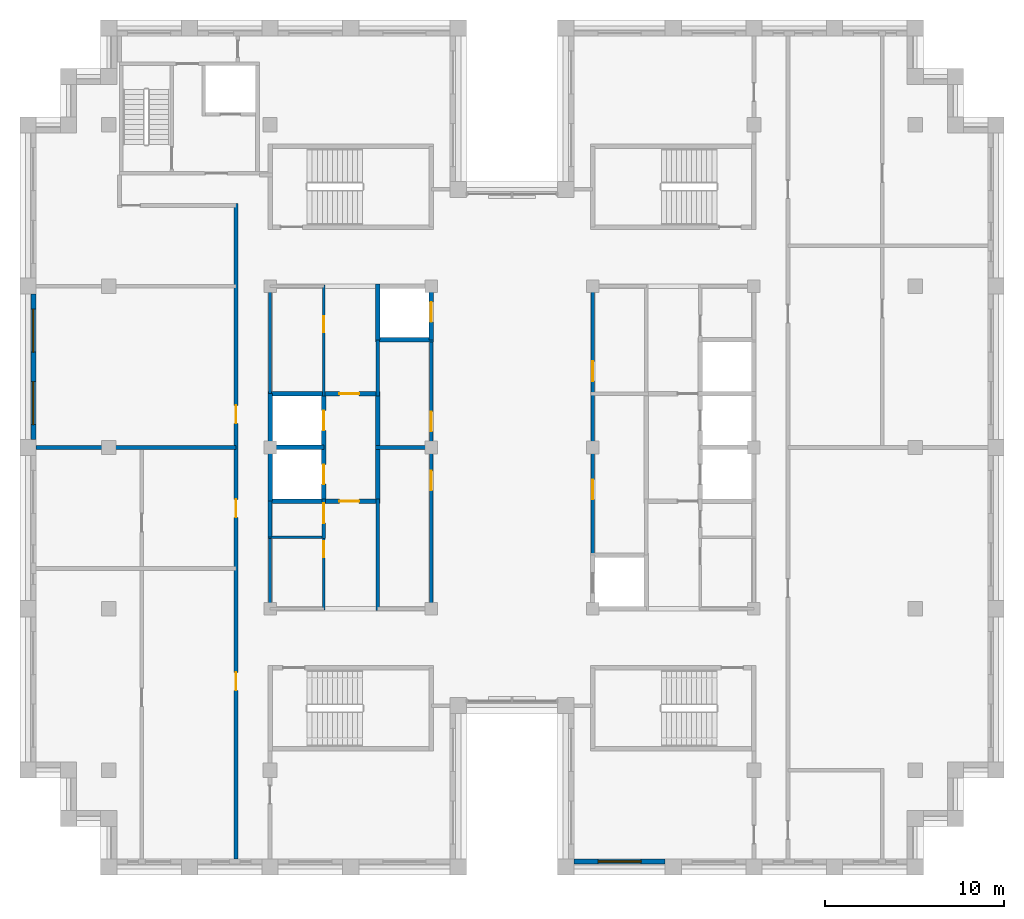
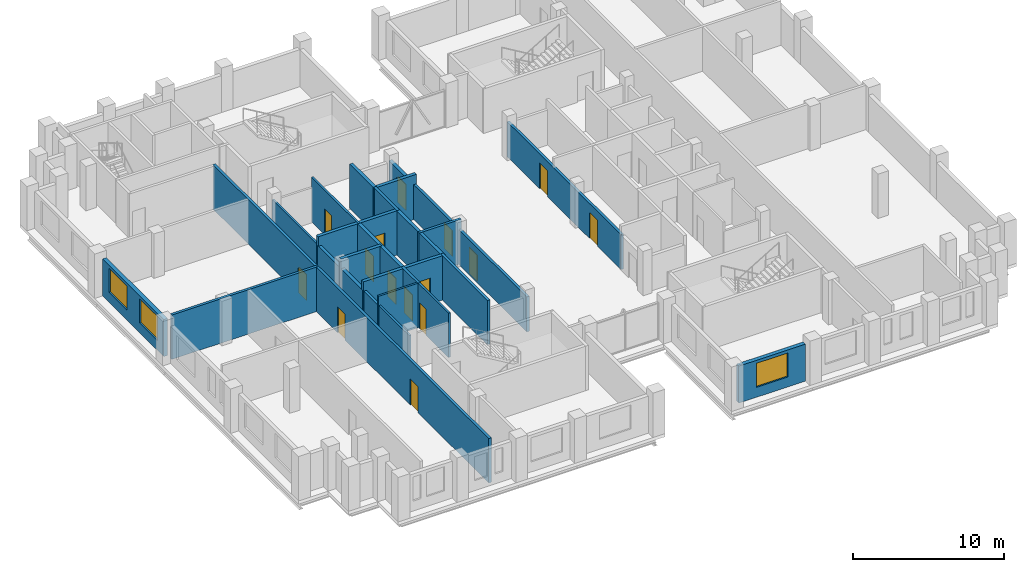
# One storey, part 7 of 13: 25 walls, 15 doors, 3 windows, 18 openings.
"""IFC4 building model written with IfcOpenShell, lengths in metres."""

from ifc_helpers import new_model, si_unit, direction, frame, frame_2d, origin, place, context, subcontext, project, spatial, rectangle, extrude, material, layer, layer_set, type_object, element, fill, save


model = new_model("IFC4")

# Units and contexts
model_context = context("Model", 3, precision=1e-05, world=origin(), true_north=direction((0.0, 1.0)))
body_context = subcontext(model_context, "Body", "Model", "MODEL_VIEW")
ifc_project = project(units=[si_unit("LENGTHUNIT", "METRE"), si_unit("AREAUNIT", "SQUARE_METRE"), si_unit("VOLUMEUNIT", "CUBIC_METRE"), si_unit("PLANEANGLEUNIT", "RADIAN"), si_unit("MASSUNIT", "GRAM", prefix="KILO")], contexts=[model_context])

# Site, building, storey
site_placement = place(None, origin())
site = spatial("IfcSite", under=ifc_project, at=site_placement, CompositionType="ELEMENT")
building_placement = place(site_placement, origin())
building = spatial("IfcBuilding", under=site, at=building_placement, Name="Corbelhall Arena Tower", CompositionType="ELEMENT")
storey_placement = place(building_placement, frame((0.0, 0.0, 316.0)))
storey = spatial("IfcBuildingStorey", under=building, at=storey_placement, Name="L69", CompositionType="ELEMENT", Elevation=316.0)

# Wall, openings, windows
ifc_material_1 = material(Name="Precast concrete C40/50 with granite facing", Category="masonry")
ifc_layer_1 = layer(ifc_material_1, 0.300048828125)
ifc_layer_set_1 = layer_set([ifc_layer_1], Name="EV-IW1 Infill panel 300")
wall_type_1 = type_object("IfcWallType", Name="EV-IW1 Infill panel 300", PredefinedType="SOLIDWALL", material=ifc_layer_set_1)
wall_1_placement = place(storey_placement, frame((-26.699951171875, 8.550048828125, 0.0), z_axis=(0.0, 0.0, 1.0), x_axis=(0.0, -1.0, 0.0)))
wall_1 = element("IfcWall", 1, at=wall_1_placement, inside=storey, type_object=wall_type_1, Name="Infill panel IW1", PredefinedType="SOLIDWALL", context=body_context, shape_type="SweptSolid", body=[
    extrude(rectangle(XDim=8.10009765625, YDim=0.300048828125, at=frame_2d((4.050048828125, 0.0))), origin(), (0.0, 0.0, 1.0), 2.989990234375),
])
opening_1_placement = place(wall_1_placement, frame((0.824951171875, 0.0, 0.800048828125)))
opening_1 = element("IfcOpeningElement", 2, at=opening_1_placement, cuts=wall_1, Name="Opening WN1", PredefinedType="OPENING", context=body_context, shape_type="SweptSolid", body=[
    extrude(rectangle(XDim=2.39990234375, YDim=1.949951171875, at=frame_2d((1.199951171875, 0.97509765625))), frame((0.0, 0.14990234375, 0.0), z_axis=(0.0, -1.0, 0.0), x_axis=(1.0, 0.0, 0.0)), (0.0, 0.0, 1.0), 0.300048828125),
])
opening_2_placement = place(wall_1_placement, frame((4.875, 0.0, 0.800048828125)))
opening_2 = element("IfcOpeningElement", 3, at=opening_2_placement, cuts=wall_1, Name="Opening WN1", PredefinedType="OPENING", context=body_context, shape_type="SweptSolid", body=[
    extrude(rectangle(XDim=2.39990234375, YDim=1.949951171875, at=frame_2d((1.199951171875, 0.97509765625))), frame((0.0, 0.14990234375, 0.0), z_axis=(0.0, -1.0, 0.0), x_axis=(1.0, 0.0, 0.0)), (0.0, 0.0, 1.0), 0.300048828125),
])
ifc_material_2 = material(Name="Aluminium black anodised", Category="aluminium")
window_type = type_object("IfcWindowType", Name="EV-WN1 Office window", PartitioningType="SINGLE_PANEL", PredefinedType="WINDOW", material=ifc_material_2)
window_1_placement = place(opening_1_placement, origin())
window_1 = element("IfcWindow", 4, at=window_1_placement, inside=storey, type_object=window_type, Name="Window WN1", OverallHeight=1.949951171875, OverallWidth=2.39990234375, PartitioningType="SINGLE_PANEL", PredefinedType="WINDOW", context=body_context, shape_type="SweptSolid", body=[
    extrude(rectangle(XDim=2.39990234375, YDim=1.949951171875, at=frame_2d((1.199951171875, 0.97509765625))), frame((0.0, 0.030029296875, 0.0), z_axis=(0.0, -1.0, 0.0), x_axis=(1.0, 0.0, 0.0)), (0.0, 0.0, 1.0), 0.06005859375),
])
fill(opening_1, window_1)
window_2_placement = place(opening_2_placement, origin())
window_2 = element("IfcWindow", 5, at=window_2_placement, inside=storey, type_object=window_type, Name="Window WN1", OverallHeight=1.949951171875, OverallWidth=2.39990234375, PartitioningType="SINGLE_PANEL", PredefinedType="WINDOW", context=body_context, shape_type="SweptSolid", body=[
    extrude(rectangle(XDim=2.39990234375, YDim=1.949951171875, at=frame_2d((1.199951171875, 0.97509765625))), frame((0.0, 0.030029296875, 0.0), z_axis=(0.0, -1.0, 0.0), x_axis=(1.0, 0.0, 0.0)), (0.0, 0.0, 1.0), 0.06005859375),
])
fill(opening_2, window_2)

# Wall, opening, window
wall_2_placement = place(storey_placement, frame((3.449951171875, -23.10009765625, 0.0), z_axis=(0.0, 0.0, 1.0), x_axis=(1.0, 0.0, 0.0)))
wall_2 = element("IfcWall", 6, at=wall_2_placement, inside=storey, type_object=wall_type_1, Name="Infill panel IW1", PredefinedType="SOLIDWALL", context=body_context, shape_type="SweptSolid", body=[
    extrude(rectangle(XDim=5.10009765625, YDim=0.300048828125, at=frame_2d((2.550048828125, 0.0))), origin(), (0.0, 0.0, 1.0), 2.989990234375),
])
opening_3_placement = place(wall_2_placement, frame((1.35009765625, 0.0, 0.800048828125)))
opening_3 = element("IfcOpeningElement", 7, at=opening_3_placement, cuts=wall_2, Name="Opening WN1", PredefinedType="OPENING", context=body_context, shape_type="SweptSolid", body=[
    extrude(rectangle(XDim=2.39990234375, YDim=1.949951171875, at=frame_2d((1.199951171875, 0.97509765625))), frame((0.0, 0.14990234375, 0.0), z_axis=(0.0, -1.0, 0.0), x_axis=(1.0, 0.0, 0.0)), (0.0, 0.0, 1.0), 0.300048828125),
])
window_3_placement = place(opening_3_placement, origin())
window_3 = element("IfcWindow", 8, at=window_3_placement, inside=storey, type_object=window_type, Name="Window WN1", OverallHeight=1.949951171875, OverallWidth=2.39990234375, PartitioningType="SINGLE_PANEL", PredefinedType="WINDOW", context=body_context, shape_type="SweptSolid", body=[
    extrude(rectangle(XDim=2.39990234375, YDim=1.949951171875, at=frame_2d((1.199951171875, 0.97509765625))), frame((0.0, 0.030029296875, 0.0), z_axis=(0.0, -1.0, 0.0), x_axis=(1.0, 0.0, 0.0)), (0.0, 0.0, 1.0), 0.06005859375),
])
fill(opening_3, window_3)

# Wall
ifc_material_3 = material(Name="Gypsum board on steel stud, acoustic", Category="steel")
ifc_layer_2 = layer(ifc_material_3, 0.199951171875)
ifc_layer_set_2 = layer_set([ifc_layer_2], Name="IN-W-DM200")
wall_type_2 = type_object("IfcWallType", Name="IN-W-DM200", PredefinedType="PARTITIONING", material=ifc_layer_set_2)
wall_3_placement = place(storey_placement, frame((-15.39990234375, 0.0, 0.0), z_axis=(0.0, 0.0, 1.0), x_axis=(-1.0, 0.0, 0.0)))
element("IfcWall", 9, at=wall_3_placement, inside=storey, type_object=wall_type_2, Name="Partition 006", PredefinedType="PARTITIONING", context=body_context, shape_type="SweptSolid", body=[
    extrude(rectangle(XDim=11.150146484375, YDim=0.199951171875, at=frame_2d((5.5751953125, 0.0))), origin(), (0.0, 0.0, 1.0), 3.590087890625),
])

# Wall, openings, doors
wall_4_placement = place(storey_placement, frame((-15.39990234375, -22.949951171875, 0.0), z_axis=(0.0, 0.0, 1.0), x_axis=(0.0, 1.0, 0.0)))
wall_4 = element("IfcWall", 10, at=wall_4_placement, inside=storey, type_object=wall_type_2, Name="Partition 007", PredefinedType="PARTITIONING", context=body_context, shape_type="SweptSolid", body=[
    extrude(rectangle(XDim=36.550048828125, YDim=0.199951171875, at=frame_2d((18.27490234375, 0.0))), origin(), (0.0, 0.0, 1.0), 3.590087890625),
])
opening_4_placement = place(wall_4_placement, frame((24.300048828125, 0.0, 0.0)))
opening_4 = element("IfcOpeningElement", 11, at=opening_4_placement, cuts=wall_4, Name="Opening 22021", PredefinedType="OPENING", context=body_context, shape_type="SweptSolid", body=[
    extrude(rectangle(XDim=1.0, YDim=2.10009765625, at=frame_2d((0.5, 1.050048828125))), frame((0.0, 0.10009765625, 0.0), z_axis=(0.0, -1.0, 0.0), x_axis=(1.0, 0.0, 0.0)), (0.0, 0.0, 1.0), 0.199951171875),
])
opening_5_placement = place(wall_4_placement, frame((9.39990234375, 0.0, 0.0)))
opening_5 = element("IfcOpeningElement", 12, at=opening_5_placement, cuts=wall_4, Name="Opening 22023", PredefinedType="OPENING", context=body_context, shape_type="SweptSolid", body=[
    extrude(rectangle(XDim=1.0, YDim=2.10009765625, at=frame_2d((0.5, 1.050048828125))), frame((0.0, 0.10009765625, 0.0), z_axis=(0.0, -1.0, 0.0), x_axis=(1.0, 0.0, 0.0)), (0.0, 0.0, 1.0), 0.199951171875),
])
opening_6_placement = place(wall_4_placement, frame((19.050048828125, 0.0, 0.0)))
opening_6 = element("IfcOpeningElement", 13, at=opening_6_placement, cuts=wall_4, Name="Opening 22025", PredefinedType="OPENING", context=body_context, shape_type="SweptSolid", body=[
    extrude(rectangle(XDim=1.0, YDim=2.10009765625, at=frame_2d((0.5, 1.050048828125))), frame((0.0, 0.10009765625, 0.0), z_axis=(0.0, -1.0, 0.0), x_axis=(1.0, 0.0, 0.0)), (0.0, 0.0, 1.0), 0.199951171875),
])
ifc_material_4 = material(Name="Steel door set", Category="steel")
door_type_1 = type_object("IfcDoorType", Name="IN-D-SW100", OperationType="NOTDEFINED", PredefinedType="DOOR", material=ifc_material_4)
door_1_placement = place(opening_4_placement, origin())
door_1 = element("IfcDoor", 14, at=door_1_placement, inside=storey, type_object=door_type_1, Name="Door 021", OperationType="SINGLE_SWING_RIGHT", OverallHeight=2.10009765625, OverallWidth=1.0, PredefinedType="DOOR", context=body_context, shape_type="SweptSolid", body=[
    extrude(rectangle(XDim=1.0, YDim=2.10009765625, at=frame_2d((0.5, 1.050048828125))), frame((0.0, 0.02490234375, 0.0), z_axis=(0.0, -1.0, 0.0), x_axis=(1.0, 0.0, 0.0)), (0.0, 0.0, 1.0), 0.050048828125),
])
fill(opening_4, door_1)
door_2_placement = place(opening_5_placement, origin())
door_2 = element("IfcDoor", 15, at=door_2_placement, inside=storey, type_object=door_type_1, Name="Door 023", OperationType="SINGLE_SWING_RIGHT", OverallHeight=2.10009765625, OverallWidth=1.0, PredefinedType="DOOR", context=body_context, shape_type="SweptSolid", body=[
    extrude(rectangle(XDim=1.0, YDim=2.10009765625, at=frame_2d((0.5, 1.050048828125))), frame((0.0, 0.02490234375, 0.0), z_axis=(0.0, -1.0, 0.0), x_axis=(1.0, 0.0, 0.0)), (0.0, 0.0, 1.0), 0.050048828125),
])
fill(opening_5, door_2)
door_3_placement = place(opening_6_placement, origin())
door_3 = element("IfcDoor", 16, at=door_3_placement, inside=storey, type_object=door_type_1, Name="Door 025", OperationType="SINGLE_SWING_RIGHT", OverallHeight=2.10009765625, OverallWidth=1.0, PredefinedType="DOOR", context=body_context, shape_type="SweptSolid", body=[
    extrude(rectangle(XDim=1.0, YDim=2.10009765625, at=frame_2d((0.5, 1.050048828125))), frame((0.0, 0.02490234375, 0.0), z_axis=(0.0, -1.0, 0.0), x_axis=(1.0, 0.0, 0.0)), (0.0, 0.0, 1.0), 0.050048828125),
])
fill(opening_6, door_3)

# Wall, opening, door
ifc_material_5 = material(Name="Concrete block wall", Category="concrete")
ifc_layer_3 = layer(ifc_material_5, 0.199951171875)
ifc_layer_set_3 = layer_set([ifc_layer_3], Name="IN-W-RS200")
wall_type_3 = type_object("IfcWallType", Name="IN-W-RS200", PredefinedType="SOLIDWALL", material=ifc_layer_set_3)
wall_5_placement = place(storey_placement, frame((-10.5, -5.074951171875, 0.0), z_axis=(0.0, 0.0, 1.0), x_axis=(0.0, 1.0, 0.0)))
wall_5 = element("IfcWall", 17, at=wall_5_placement, inside=storey, type_object=wall_type_3, Name="Partition 025", PredefinedType="SOLIDWALL", context=body_context, shape_type="SweptSolid", body=[
    extrude(rectangle(XDim=2.199951171875, YDim=0.199951171875, at=frame_2d((1.10009765625, 0.0))), origin(), (0.0, 0.0, 1.0), 3.590087890625),
])
opening_7_placement = place(wall_5_placement, frame((0.85009765625, 0.0, 0.0)))
opening_7 = element("IfcOpeningElement", 18, at=opening_7_placement, cuts=wall_5, Name="Opening 22006", PredefinedType="OPENING", context=body_context, shape_type="SweptSolid", body=[
    extrude(rectangle(XDim=1.10009765625, YDim=2.10009765625, at=frame_2d((0.550048828125, 1.050048828125))), frame((0.0, 0.10009765625, 0.0), z_axis=(0.0, -1.0, 0.0), x_axis=(1.0, 0.0, 0.0)), (0.0, 0.0, 1.0), 0.199951171875),
])
door_type_2 = type_object("IfcDoorType", Name="IN-D-FD110", OperationType="NOTDEFINED", PredefinedType="DOOR", material=ifc_material_4)
door_4_placement = place(opening_7_placement, origin())
door_4 = element("IfcDoor", 19, at=door_4_placement, inside=storey, type_object=door_type_2, Name="Door 006", OperationType="SINGLE_SWING_LEFT", OverallHeight=2.10009765625, OverallWidth=1.10009765625, PredefinedType="DOOR", context=body_context, shape_type="SweptSolid", body=[
    extrude(rectangle(XDim=1.10009765625, YDim=2.10009765625, at=frame_2d((0.550048828125, 1.050048828125))), frame((0.0, 0.02490234375, 0.0), z_axis=(0.0, -1.0, 0.0), x_axis=(1.0, 0.0, 0.0)), (0.0, 0.0, 1.0), 0.050048828125),
])
fill(opening_7, door_4)

# Walls
wall_6_placement = place(storey_placement, frame((-7.625, 0.0, 0.0), z_axis=(0.0, 0.0, 1.0), x_axis=(1.0, 0.0, 0.0)))
element("IfcWall", 20, at=wall_6_placement, inside=storey, type_object=wall_type_3, Name="Partition 026", PredefinedType="SOLIDWALL", context=body_context, shape_type="SweptSolid", body=[
    extrude(rectangle(XDim=3.22509765625, YDim=0.199951171875, at=frame_2d((1.612548828125, 0.0))), origin(), (0.0, 0.0, 1.0), 3.590087890625),
])
wall_7_placement = place(storey_placement, frame((-7.5, -9.10009765625, 0.0), z_axis=(0.0, 0.0, 1.0), x_axis=(0.0, 1.0, 0.0)))
element("IfcWall", 21, at=wall_7_placement, inside=storey, type_object=wall_type_3, Name="Partition 027", PredefinedType="SOLIDWALL", context=body_context, shape_type="SweptSolid", body=[
    extrude(rectangle(XDim=6.22509765625, YDim=0.199951171875, at=frame_2d((3.112548828125, 0.0))), origin(), (0.0, 0.0, 1.0), 3.590087890625),
])
wall_8_placement = place(storey_placement, frame((-7.5, 2.875, 0.0), z_axis=(0.0, 0.0, 1.0), x_axis=(0.0, 1.0, 0.0)))
element("IfcWall", 22, at=wall_8_placement, inside=storey, type_object=wall_type_3, Name="Partition 028", PredefinedType="SOLIDWALL", context=body_context, shape_type="SweptSolid", body=[
    extrude(rectangle(XDim=3.125, YDim=0.199951171875, at=frame_2d((1.5625, 0.0))), origin(), (0.0, 0.0, 1.0), 3.590087890625),
])
ifc_layer_4 = layer(ifc_material_5, 0.199951171875)
ifc_layer_set_4 = layer_set([ifc_layer_4], Name="IN-W-RS200 under beam 762 mm")
wall_type_4 = type_object("IfcWallType", Name="IN-W-RS200 under beam 762 mm", PredefinedType="SOLIDWALL", material=ifc_layer_set_4)
wall_9_placement = place(storey_placement, frame((-13.5, -5.0, 0.0), z_axis=(0.0, 0.0, 1.0), x_axis=(0.0, 1.0, 0.0)))
element("IfcWall", 23, at=wall_9_placement, inside=storey, type_object=wall_type_4, Name="Partition 024", PredefinedType="SOLIDWALL", context=body_context, shape_type="SweptSolid", body=[
    extrude(rectangle(XDim=2.0, YDim=0.199951171875, at=frame_2d((1.0, 0.0))), origin(), (0.0, 0.0, 1.0), 2.827880859375),
])

# Wall, openings, doors
wall_10_placement = place(storey_placement, frame((-4.5, 6.0, 0.0), z_axis=(0.0, 0.0, 1.0), x_axis=(0.0, -1.0, 0.0)))
wall_10 = element("IfcWall", 24, at=wall_10_placement, inside=storey, type_object=wall_type_4, Name="Partition 030", PredefinedType="SOLIDWALL", context=body_context, shape_type="SweptSolid", body=[
    extrude(rectangle(XDim=15.10009765625, YDim=0.199951171875, at=frame_2d((7.550048828125, 0.0))), origin(), (0.0, 0.0, 1.0), 2.827880859375),
])
opening_8_placement = place(wall_10_placement, frame((7.300048828125, 0.0, 0.0)))
opening_8 = element("IfcOpeningElement", 25, at=opening_8_placement, cuts=wall_10, Name="Opening 22001", PredefinedType="OPENING", context=body_context, shape_type="SweptSolid", body=[
    extrude(rectangle(XDim=1.10009765625, YDim=2.10009765625, at=frame_2d((0.550048828125, 1.050048828125))), frame((0.0, 0.10009765625, 0.0), z_axis=(0.0, -1.0, 0.0), x_axis=(1.0, 0.0, 0.0)), (0.0, 0.0, 1.0), 0.199951171875),
])
opening_9_placement = place(wall_10_placement, frame((4.0, 0.0, 0.0)))
opening_9 = element("IfcOpeningElement", 26, at=opening_9_placement, cuts=wall_10, Name="Opening 22002", PredefinedType="OPENING", context=body_context, shape_type="SweptSolid", body=[
    extrude(rectangle(XDim=1.10009765625, YDim=2.10009765625, at=frame_2d((0.550048828125, 1.050048828125))), frame((0.0, 0.10009765625, 0.0), z_axis=(0.0, -1.0, 0.0), x_axis=(1.0, 0.0, 0.0)), (0.0, 0.0, 1.0), 0.199951171875),
])
door_5_placement = place(opening_8_placement, origin())
door_5 = element("IfcDoor", 27, at=door_5_placement, inside=storey, type_object=door_type_2, Name="Door 001", OperationType="SINGLE_SWING_RIGHT", OverallHeight=2.10009765625, OverallWidth=1.10009765625, PredefinedType="DOOR", context=body_context, shape_type="SweptSolid", body=[
    extrude(rectangle(XDim=1.10009765625, YDim=2.10009765625, at=frame_2d((0.550048828125, 1.050048828125))), frame((0.0, 0.02490234375, 0.0), z_axis=(0.0, -1.0, 0.0), x_axis=(1.0, 0.0, 0.0)), (0.0, 0.0, 1.0), 0.050048828125),
])
fill(opening_8, door_5)
door_6_placement = place(opening_9_placement, origin())
door_6 = element("IfcDoor", 28, at=door_6_placement, inside=storey, type_object=door_type_2, Name="Door 002", OperationType="SINGLE_SWING_LEFT", OverallHeight=2.10009765625, OverallWidth=1.10009765625, PredefinedType="DOOR", context=body_context, shape_type="SweptSolid", body=[
    extrude(rectangle(XDim=1.10009765625, YDim=2.10009765625, at=frame_2d((0.550048828125, 1.050048828125))), frame((0.0, 0.02490234375, 0.0), z_axis=(0.0, -1.0, 0.0), x_axis=(1.0, 0.0, 0.0)), (0.0, 0.0, 1.0), 0.050048828125),
])
fill(opening_9, door_6)

wall_11_placement = place(storey_placement, frame((4.5, -6.0, 0.0), z_axis=(0.0, 0.0, 1.0), x_axis=(0.0, 1.0, 0.0)))
wall_11 = element("IfcWall", 29, at=wall_11_placement, inside=storey, type_object=wall_type_4, Name="Partition 032", PredefinedType="SOLIDWALL", context=body_context, shape_type="SweptSolid", body=[
    extrude(rectangle(XDim=15.10009765625, YDim=0.199951171875, at=frame_2d((7.550048828125, 0.0))), origin(), (0.0, 0.0, 1.0), 2.827880859375),
])
opening_10_placement = place(wall_11_placement, frame((3.10009765625, 0.0, 0.0)))
opening_10 = element("IfcOpeningElement", 30, at=opening_10_placement, cuts=wall_11, Name="Opening 22008", PredefinedType="OPENING", context=body_context, shape_type="SweptSolid", body=[
    extrude(rectangle(XDim=1.10009765625, YDim=2.10009765625, at=frame_2d((0.550048828125, 1.050048828125))), frame((0.0, 0.10009765625, 0.0), z_axis=(0.0, -1.0, 0.0), x_axis=(1.0, 0.0, 0.0)), (0.0, 0.0, 1.0), 0.199951171875),
])
opening_11_placement = place(wall_11_placement, frame((9.699951171875, 0.0, 0.0)))
opening_11 = element("IfcOpeningElement", 31, at=opening_11_placement, cuts=wall_11, Name="Opening 22009", PredefinedType="OPENING", context=body_context, shape_type="SweptSolid", body=[
    extrude(rectangle(XDim=1.10009765625, YDim=2.10009765625, at=frame_2d((0.550048828125, 1.050048828125))), frame((0.0, 0.10009765625, 0.0), z_axis=(0.0, -1.0, 0.0), x_axis=(1.0, 0.0, 0.0)), (0.0, 0.0, 1.0), 0.199951171875),
])
door_7_placement = place(opening_10_placement, origin())
door_7 = element("IfcDoor", 32, at=door_7_placement, inside=storey, type_object=door_type_2, Name="Door 008", OperationType="SINGLE_SWING_LEFT", OverallHeight=2.10009765625, OverallWidth=1.10009765625, PredefinedType="DOOR", context=body_context, shape_type="SweptSolid", body=[
    extrude(rectangle(XDim=1.10009765625, YDim=2.10009765625, at=frame_2d((0.550048828125, 1.050048828125))), frame((0.0, 0.02490234375, 0.0), z_axis=(0.0, -1.0, 0.0), x_axis=(1.0, 0.0, 0.0)), (0.0, 0.0, 1.0), 0.050048828125),
])
fill(opening_10, door_7)
door_8_placement = place(opening_11_placement, origin())
door_8 = element("IfcDoor", 33, at=door_8_placement, inside=storey, type_object=door_type_2, Name="Door 009", OperationType="SINGLE_SWING_RIGHT", OverallHeight=2.10009765625, OverallWidth=1.10009765625, PredefinedType="DOOR", context=body_context, shape_type="SweptSolid", body=[
    extrude(rectangle(XDim=1.10009765625, YDim=2.10009765625, at=frame_2d((0.550048828125, 1.050048828125))), frame((0.0, 0.02490234375, 0.0), z_axis=(0.0, -1.0, 0.0), x_axis=(1.0, 0.0, 0.0)), (0.0, 0.0, 1.0), 0.050048828125),
])
fill(opening_11, door_8)

# Wall
ifc_material_6 = material(Name="Concrete C40/50", Category="concrete")
ifc_layer_5 = layer(ifc_material_6, 0.25)
ifc_layer_set_5 = layer_set([ifc_layer_5], Name="IN-W-SH250")
wall_type_5 = type_object("IfcWallType", Name="IN-W-SH250", PredefinedType="SOLIDWALL", material=ifc_layer_set_5)
wall_12_placement = place(storey_placement, frame((-13.625, 0.0, 0.0), z_axis=(0.0, 0.0, 1.0), x_axis=(1.0, 0.0, 0.0)))
element("IfcWall", 34, at=wall_12_placement, inside=storey, type_object=wall_type_5, Name="Shaft wall 041", PredefinedType="SOLIDWALL", context=body_context, shape_type="SweptSolid", body=[
    extrude(rectangle(XDim=3.125, YDim=0.25, at=frame_2d((1.5625, 0.0))), origin(), (0.0, 0.0, 1.0), 3.590087890625),
])

# Wall, opening, door
wall_13_placement = place(storey_placement, frame((-13.625, 3.0, 0.0), z_axis=(0.0, 0.0, 1.0), x_axis=(1.0, 0.0, 0.0)))
wall_13 = element("IfcWall", 35, at=wall_13_placement, inside=storey, type_object=wall_type_5, Name="Shaft wall 042", PredefinedType="SOLIDWALL", context=body_context, shape_type="SweptSolid", body=[
    extrude(rectangle(XDim=6.125, YDim=0.25, at=frame_2d((3.0625, 0.0))), origin(), (0.0, 0.0, 1.0), 3.590087890625),
])
opening_12_placement = place(wall_13_placement, frame((4.0, 0.0, 0.0)))
opening_12 = element("IfcOpeningElement", 36, at=opening_12_placement, cuts=wall_13, Name="Opening 22004", PredefinedType="OPENING", context=body_context, shape_type="SweptSolid", body=[
    extrude(rectangle(XDim=1.10009765625, YDim=2.10009765625, at=frame_2d((0.550048828125, 1.050048828125))), frame((0.0, 0.125, 0.0), z_axis=(0.0, -1.0, 0.0), x_axis=(1.0, 0.0, 0.0)), (0.0, 0.0, 1.0), 0.25),
])
door_9_placement = place(opening_12_placement, origin())
door_9 = element("IfcDoor", 37, at=door_9_placement, inside=storey, type_object=door_type_2, Name="Door 004", OperationType="SINGLE_SWING_LEFT", OverallHeight=2.10009765625, OverallWidth=1.10009765625, PredefinedType="DOOR", context=body_context, shape_type="SweptSolid", body=[
    extrude(rectangle(XDim=1.10009765625, YDim=2.10009765625, at=frame_2d((0.550048828125, 1.050048828125))), frame((0.0, 0.02490234375, 0.0), z_axis=(0.0, -1.0, 0.0), x_axis=(1.0, 0.0, 0.0)), (0.0, 0.0, 1.0), 0.050048828125),
])
fill(opening_12, door_9)

wall_14_placement = place(storey_placement, frame((-13.625, -3.0, 0.0), z_axis=(0.0, 0.0, 1.0), x_axis=(1.0, 0.0, 0.0)))
wall_14 = element("IfcWall", 38, at=wall_14_placement, inside=storey, type_object=wall_type_5, Name="Shaft wall 044", PredefinedType="SOLIDWALL", context=body_context, shape_type="SweptSolid", body=[
    extrude(rectangle(XDim=6.125, YDim=0.25, at=frame_2d((3.0625, 0.0))), origin(), (0.0, 0.0, 1.0), 3.590087890625),
])
opening_13_placement = place(wall_14_placement, frame((4.0, 0.0, 0.0)))
opening_13 = element("IfcOpeningElement", 39, at=opening_13_placement, cuts=wall_14, Name="Opening 22003", PredefinedType="OPENING", context=body_context, shape_type="SweptSolid", body=[
    extrude(rectangle(XDim=1.10009765625, YDim=2.10009765625, at=frame_2d((0.550048828125, 1.050048828125))), frame((0.0, 0.125, 0.0), z_axis=(0.0, -1.0, 0.0), x_axis=(1.0, 0.0, 0.0)), (0.0, 0.0, 1.0), 0.25),
])
door_10_placement = place(opening_13_placement, origin())
door_10 = element("IfcDoor", 40, at=door_10_placement, inside=storey, type_object=door_type_2, Name="Door 003", OperationType="SINGLE_SWING_RIGHT", OverallHeight=2.10009765625, OverallWidth=1.10009765625, PredefinedType="DOOR", context=body_context, shape_type="SweptSolid", body=[
    extrude(rectangle(XDim=1.10009765625, YDim=2.10009765625, at=frame_2d((0.550048828125, 1.050048828125))), frame((0.0, 0.02490234375, 0.0), z_axis=(0.0, -1.0, 0.0), x_axis=(1.0, 0.0, 0.0)), (0.0, 0.0, 1.0), 0.050048828125),
])
fill(opening_13, door_10)

# Wall, openings, doors
wall_15_placement = place(storey_placement, frame((-10.5, -3.125, 0.0), z_axis=(0.0, 0.0, 1.0), x_axis=(0.0, 1.0, 0.0)))
wall_15 = element("IfcWall", 41, at=wall_15_placement, inside=storey, type_object=wall_type_5, Name="Shaft wall 045", PredefinedType="SOLIDWALL", context=body_context, shape_type="SweptSolid", body=[
    extrude(rectangle(XDim=6.25, YDim=0.25, at=frame_2d((3.125, 0.0))), origin(), (0.0, 0.0, 1.0), 3.590087890625),
])
opening_14_placement = place(wall_15_placement, frame((1.074951171875, 0.0, 0.0)))
opening_14 = element("IfcOpeningElement", 42, at=opening_14_placement, cuts=wall_15, Name="Opening LD", PredefinedType="OPENING", context=body_context, shape_type="SweptSolid", body=[
    extrude(rectangle(XDim=1.10009765625, YDim=2.10009765625, at=frame_2d((0.550048828125, 1.050048828125))), frame((0.0, 0.125, 0.0), z_axis=(0.0, -1.0, 0.0), x_axis=(1.0, 0.0, 0.0)), (0.0, 0.0, 1.0), 0.25),
])
opening_15_placement = place(wall_15_placement, frame((4.074951171875, 0.0, 0.0)))
opening_15 = element("IfcOpeningElement", 43, at=opening_15_placement, cuts=wall_15, Name="Opening LD", PredefinedType="OPENING", context=body_context, shape_type="SweptSolid", body=[
    extrude(rectangle(XDim=1.10009765625, YDim=2.10009765625, at=frame_2d((0.550048828125, 1.050048828125))), frame((0.0, 0.125, 0.0), z_axis=(0.0, -1.0, 0.0), x_axis=(1.0, 0.0, 0.0)), (0.0, 0.0, 1.0), 0.25),
])
door_type_3 = type_object("IfcDoorType", Name="IN-D-LD110", OperationType="NOTDEFINED", PredefinedType="DOOR", material=ifc_material_4)
door_11_placement = place(opening_14_placement, origin())
door_11 = element("IfcDoor", 44, at=door_11_placement, inside=storey, type_object=door_type_3, Name="Landing door W3", OperationType="SLIDING_TO_LEFT", OverallHeight=2.10009765625, OverallWidth=1.10009765625, PredefinedType="DOOR", context=body_context, shape_type="SweptSolid", body=[
    extrude(rectangle(XDim=1.10009765625, YDim=2.10009765625, at=frame_2d((0.550048828125, 1.050048828125))), frame((0.0, 0.02490234375, 0.0), z_axis=(0.0, -1.0, 0.0), x_axis=(1.0, 0.0, 0.0)), (0.0, 0.0, 1.0), 0.050048828125),
])
fill(opening_14, door_11)
door_12_placement = place(opening_15_placement, origin())
door_12 = element("IfcDoor", 45, at=door_12_placement, inside=storey, type_object=door_type_3, Name="Landing door W4", OperationType="SLIDING_TO_LEFT", OverallHeight=2.10009765625, OverallWidth=1.10009765625, PredefinedType="DOOR", context=body_context, shape_type="SweptSolid", body=[
    extrude(rectangle(XDim=1.10009765625, YDim=2.10009765625, at=frame_2d((0.550048828125, 1.050048828125))), frame((0.0, 0.02490234375, 0.0), z_axis=(0.0, -1.0, 0.0), x_axis=(1.0, 0.0, 0.0)), (0.0, 0.0, 1.0), 0.050048828125),
])
fill(opening_15, door_12)

# Walls
wall_16_placement = place(storey_placement, frame((-7.625, 6.0, 0.0), z_axis=(0.0, 0.0, 1.0), x_axis=(1.0, 0.0, 0.0)))
element("IfcWall", 46, at=wall_16_placement, inside=storey, type_object=wall_type_5, Name="Shaft wall 046", PredefinedType="SOLIDWALL", context=body_context, shape_type="SweptSolid", body=[
    extrude(rectangle(XDim=3.25, YDim=0.25, at=frame_2d((1.625, 0.0))), origin(), (0.0, 0.0, 1.0), 3.590087890625),
])
wall_17_placement = place(storey_placement, frame((-7.5, -3.125, 0.0), z_axis=(0.0, 0.0, 1.0), x_axis=(0.0, 1.0, 0.0)))
element("IfcWall", 47, at=wall_17_placement, inside=storey, type_object=wall_type_5, Name="Shaft wall 047", PredefinedType="SOLIDWALL", context=body_context, shape_type="SweptSolid", body=[
    extrude(rectangle(XDim=6.25, YDim=0.25, at=frame_2d((3.125, 0.0))), origin(), (0.0, 0.0, 1.0), 3.590087890625),
])
wall_18_placement = place(storey_placement, frame((-7.5, 6.0, 0.0), z_axis=(0.0, 0.0, 1.0), x_axis=(0.0, 1.0, 0.0)))
element("IfcWall", 48, at=wall_18_placement, inside=storey, type_object=wall_type_5, Name="Shaft wall 048", PredefinedType="SOLIDWALL", context=body_context, shape_type="SweptSolid", body=[
    extrude(rectangle(XDim=3.125, YDim=0.25, at=frame_2d((1.5625, 0.0))), origin(), (0.0, 0.0, 1.0), 3.590087890625),
])
ifc_layer_6 = layer(ifc_material_6, 0.25)
ifc_layer_set_6 = layer_set([ifc_layer_6], Name="IN-W-SH250 under beam 762 mm")
wall_type_6 = type_object("IfcWallType", Name="IN-W-SH250 under beam 762 mm", PredefinedType="SOLIDWALL", material=ifc_layer_set_6)
wall_19_placement = place(storey_placement, frame((-13.5, -3.0, 0.0), z_axis=(0.0, 0.0, 1.0), x_axis=(0.0, 1.0, 0.0)))
element("IfcWall", 49, at=wall_19_placement, inside=storey, type_object=wall_type_6, Name="Shaft wall 043", PredefinedType="SOLIDWALL", context=body_context, shape_type="SweptSolid", body=[
    extrude(rectangle(XDim=6.0, YDim=0.25, at=frame_2d((3.0, 0.0))), origin(), (0.0, 0.0, 1.0), 2.827880859375),
])

# Wall, opening, door
wall_20_placement = place(storey_placement, frame((-4.5, 9.125, 0.0), z_axis=(0.0, 0.0, 1.0), x_axis=(0.0, -1.0, 0.0)))
wall_20 = element("IfcWall", 50, at=wall_20_placement, inside=storey, type_object=wall_type_6, Name="Shaft wall 050", PredefinedType="SOLIDWALL", context=body_context, shape_type="SweptSolid", body=[
    extrude(rectangle(XDim=3.125, YDim=0.25, at=frame_2d((1.5625, 0.0))), origin(), (0.0, 0.0, 1.0), 2.827880859375),
])
opening_16_placement = place(wall_20_placement, frame((1.012451171875, 0.0, 0.0)))
opening_16 = element("IfcOpeningElement", 51, at=opening_16_placement, cuts=wall_20, Name="Opening LD", PredefinedType="OPENING", context=body_context, shape_type="SweptSolid", body=[
    extrude(rectangle(XDim=1.10009765625, YDim=2.10009765625, at=frame_2d((0.550048828125, 1.050048828125))), frame((0.0, 0.125, 0.0), z_axis=(0.0, -1.0, 0.0), x_axis=(1.0, 0.0, 0.0)), (0.0, 0.0, 1.0), 0.25),
])
door_13_placement = place(opening_16_placement, origin())
door_13 = element("IfcDoor", 52, at=door_13_placement, inside=storey, type_object=door_type_3, Name="Landing door W6", OperationType="SLIDING_TO_LEFT", OverallHeight=2.10009765625, OverallWidth=1.10009765625, PredefinedType="DOOR", context=body_context, shape_type="SweptSolid", body=[
    extrude(rectangle(XDim=1.10009765625, YDim=2.10009765625, at=frame_2d((0.550048828125, 1.050048828125))), frame((0.0, 0.02490234375, 0.0), z_axis=(0.0, -1.0, 0.0), x_axis=(1.0, 0.0, 0.0)), (0.0, 0.0, 1.0), 0.050048828125),
])
fill(opening_16, door_13)

# Wall
ifc_material_7 = material(Name="Gypsum board on steel stud, moisture resistant", Category="steel")
ifc_layer_7 = layer(ifc_material_7, 0.14990234375)
ifc_layer_set_7 = layer_set([ifc_layer_7], Name="IN-W-WC150")
wall_type_7 = type_object("IfcWallType", Name="IN-W-WC150", PredefinedType="PARTITIONING", material=ifc_layer_set_7)
wall_21_placement = place(storey_placement, frame((-13.60009765625, -5.0, 0.0), z_axis=(0.0, 0.0, 1.0), x_axis=(1.0, 0.0, 0.0)))
element("IfcWall", 53, at=wall_21_placement, inside=storey, type_object=wall_type_7, Name="Partition 078", PredefinedType="PARTITIONING", context=body_context, shape_type="SweptSolid", body=[
    extrude(rectangle(XDim=3.10009765625, YDim=0.14990234375, at=frame_2d((1.550048828125, 0.0))), origin(), (0.0, 0.0, 1.0), 3.590087890625),
])

# Wall, opening, door
wall_22_placement = place(storey_placement, frame((-10.5, -9.074951171875, 0.0), z_axis=(0.0, 0.0, 1.0), x_axis=(0.0, 1.0, 0.0)))
wall_22 = element("IfcWall", 54, at=wall_22_placement, inside=storey, type_object=wall_type_7, Name="Partition 082", PredefinedType="PARTITIONING", context=body_context, shape_type="SweptSolid", body=[
    extrude(rectangle(XDim=4.14990234375, YDim=0.14990234375, at=frame_2d((2.074951171875, 0.0))), origin(), (0.0, 0.0, 1.0), 3.590087890625),
])
opening_17_placement = place(wall_22_placement, frame((2.949951171875, 0.0, 0.0)))
opening_17 = element("IfcOpeningElement", 55, at=opening_17_placement, cuts=wall_22, Name="Opening 22005", PredefinedType="OPENING", context=body_context, shape_type="SweptSolid", body=[
    extrude(rectangle(XDim=0.89990234375, YDim=2.10009765625, at=frame_2d((0.449951171875, 1.050048828125))), frame((0.0, 0.074951171875, 0.0), z_axis=(0.0, -1.0, 0.0), x_axis=(1.0, 0.0, 0.0)), (0.0, 0.0, 1.0), 0.14990234375),
])
ifc_material_8 = material(Name="Timber door set", Category="wood")
door_type_4 = type_object("IfcDoorType", Name="IN-D-SW90", OperationType="NOTDEFINED", PredefinedType="DOOR", material=ifc_material_8)
door_14_placement = place(opening_17_placement, origin())
door_14 = element("IfcDoor", 56, at=door_14_placement, inside=storey, type_object=door_type_4, Name="Door 005", OperationType="SINGLE_SWING_RIGHT", OverallHeight=2.10009765625, OverallWidth=0.89990234375, PredefinedType="DOOR", context=body_context, shape_type="SweptSolid", body=[
    extrude(rectangle(XDim=0.89990234375, YDim=2.10009765625, at=frame_2d((0.449951171875, 1.050048828125))), frame((0.0, 0.02490234375, 0.0), z_axis=(0.0, -1.0, 0.0), x_axis=(1.0, 0.0, 0.0)), (0.0, 0.0, 1.0), 0.050048828125),
])
fill(opening_17, door_14)

wall_23_placement = place(storey_placement, frame((-10.5, 2.875, 0.0), z_axis=(0.0, 0.0, 1.0), x_axis=(0.0, 1.0, 0.0)))
wall_23 = element("IfcWall", 57, at=wall_23_placement, inside=storey, type_object=wall_type_7, Name="Partition 084", PredefinedType="PARTITIONING", context=body_context, shape_type="SweptSolid", body=[
    extrude(rectangle(XDim=6.199951171875, YDim=0.14990234375, at=frame_2d((3.10009765625, 0.0))), origin(), (0.0, 0.0, 1.0), 3.590087890625),
])
opening_18_placement = place(wall_23_placement, frame((3.550048828125, 0.0, 0.0)))
opening_18 = element("IfcOpeningElement", 58, at=opening_18_placement, cuts=wall_23, Name="Opening 22007", PredefinedType="OPENING", context=body_context, shape_type="SweptSolid", body=[
    extrude(rectangle(XDim=0.89990234375, YDim=2.10009765625, at=frame_2d((0.449951171875, 1.050048828125))), frame((0.0, 0.074951171875, 0.0), z_axis=(0.0, -1.0, 0.0), x_axis=(1.0, 0.0, 0.0)), (0.0, 0.0, 1.0), 0.14990234375),
])
door_15_placement = place(opening_18_placement, origin())
door_15 = element("IfcDoor", 59, at=door_15_placement, inside=storey, type_object=door_type_4, Name="Door 007", OperationType="SINGLE_SWING_RIGHT", OverallHeight=2.10009765625, OverallWidth=0.89990234375, PredefinedType="DOOR", context=body_context, shape_type="SweptSolid", body=[
    extrude(rectangle(XDim=0.89990234375, YDim=2.10009765625, at=frame_2d((0.449951171875, 1.050048828125))), frame((0.0, 0.02490234375, 0.0), z_axis=(0.0, -1.0, 0.0), x_axis=(1.0, 0.0, 0.0)), (0.0, 0.0, 1.0), 0.050048828125),
])
fill(opening_18, door_15)

# Walls
ifc_layer_8 = layer(ifc_material_7, 0.14990234375)
ifc_layer_set_8 = layer_set([ifc_layer_8], Name="IN-W-WC150 under beam 762 mm")
wall_type_8 = type_object("IfcWallType", Name="IN-W-WC150 under beam 762 mm", PredefinedType="PARTITIONING", material=ifc_layer_set_8)
wall_24_placement = place(storey_placement, frame((-13.5, -9.074951171875, 0.0), z_axis=(0.0, 0.0, 1.0), x_axis=(0.0, 1.0, 0.0)))
element("IfcWall", 60, at=wall_24_placement, inside=storey, type_object=wall_type_8, Name="Partition 079", PredefinedType="PARTITIONING", context=body_context, shape_type="SweptSolid", body=[
    extrude(rectangle(XDim=4.074951171875, YDim=0.14990234375, at=frame_2d((2.03759765625, 0.0))), origin(), (0.0, 0.0, 1.0), 2.827880859375),
])
wall_25_placement = place(storey_placement, frame((-13.5, 3.0, 0.0), z_axis=(0.0, 0.0, 1.0), x_axis=(0.0, 1.0, 0.0)))
element("IfcWall", 61, at=wall_25_placement, inside=storey, type_object=wall_type_8, Name="Partition 080", PredefinedType="PARTITIONING", context=body_context, shape_type="SweptSolid", body=[
    extrude(rectangle(XDim=6.074951171875, YDim=0.14990234375, at=frame_2d((3.03759765625, 0.0))), origin(), (0.0, 0.0, 1.0), 2.827880859375),
])

save(model, "model.ifc")
